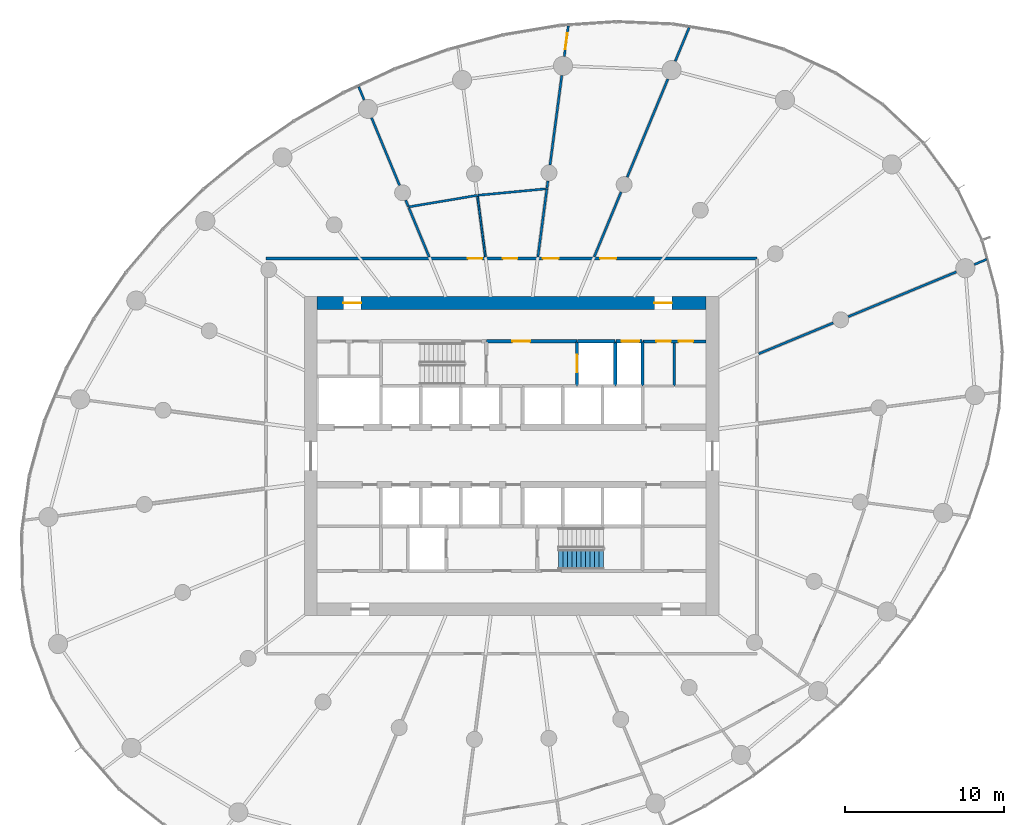
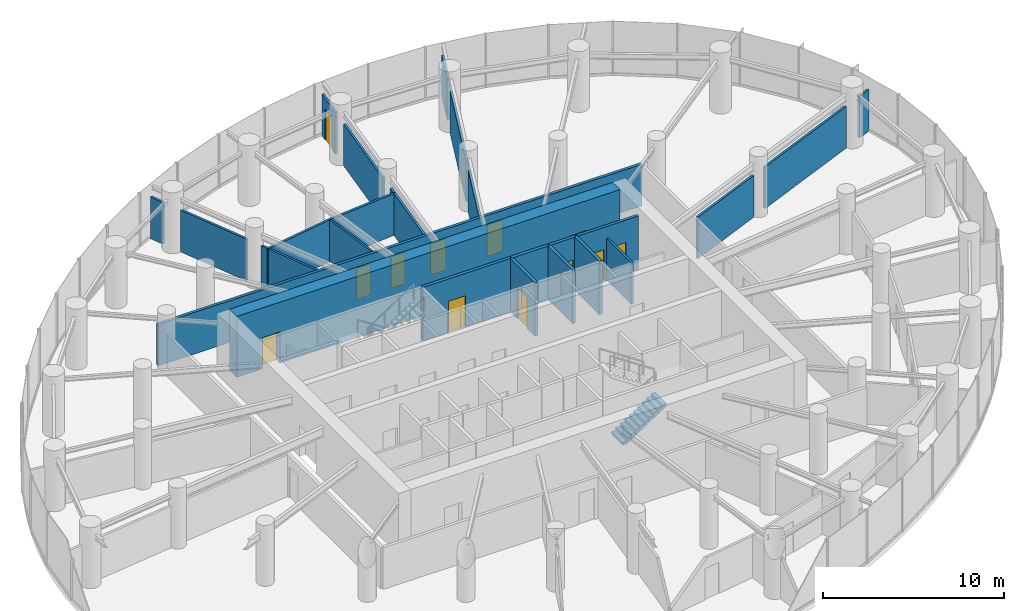
# One storey, part 13 of 17: 27 walls, 12 doors, 1 stair flight, 12 openings, 1 element without a shape of its own.
"""IFC4 building model written with IfcOpenShell, lengths in metres."""

from ifc_helpers import new_model, si_unit, direction, frame, frame_2d, origin, place, context, subcontext, project, spatial, line, indexed_curve, rectangle, outline, extrude, source, transform, mapped, material, layer, layer_set, type_object, element, fill, aggregate, save


model = new_model("IFC4")

# Units and contexts
model_context = context("Model", 3, precision=1e-05, world=origin(), true_north=direction((0.0, 1.0)))
body_context = subcontext(model_context, "Body", "Model", "MODEL_VIEW")
ifc_project = project(units=[si_unit("LENGTHUNIT", "METRE"), si_unit("AREAUNIT", "SQUARE_METRE"), si_unit("VOLUMEUNIT", "CUBIC_METRE"), si_unit("PLANEANGLEUNIT", "RADIAN"), si_unit("MASSUNIT", "GRAM", prefix="KILO")], contexts=[model_context])

# Site, building, storey
site_placement = place(None, origin())
site = spatial("IfcSite", under=ifc_project, at=site_placement, CompositionType="ELEMENT")
building_placement = place(site_placement, origin())
building = spatial("IfcBuilding", under=site, at=building_placement, Name="Spindrift Exchange Tower", CompositionType="ELEMENT")
storey_placement = place(building_placement, frame((0.0, 0.0, 124.89990234375)))
storey = spatial("IfcBuildingStorey", under=building, at=storey_placement, Name="L29", CompositionType="ELEMENT", Elevation=124.89990234375)

# Wall, openings, doors
ifc_material_1 = material(Name="Concrete 65 MPa", Category="concrete")
ifc_layer_1 = layer(ifc_material_1, 0.800048828125)
ifc_layer_set_1 = layer_set([ifc_layer_1], Name="RC Core Wall 800 Concrete 65 MPa")
wall_type_1 = type_object("IfcWallType", Name="RC Core Wall 800 Concrete 65 MPa", PredefinedType="SHEAR", material=ifc_layer_set_1)
wall_1_placement = place(storey_placement, frame((64.199951171875, 57.60009765625, 0.0), z_axis=(0.0, 0.0, 1.0), x_axis=(-1.0, 0.0, 0.0)))
wall_1 = element("IfcWall", 1, at=wall_1_placement, inside=storey, type_object=wall_type_1, Name="Core wall N L29", PredefinedType="SHEAR", context=body_context, shape_type="SweptSolid", body=[
    extrude(rectangle(XDim=24.39990234375, YDim=0.800048828125, at=frame_2d((12.199951171875, 0.0))), origin(), (0.0, 0.0, 1.0), 4.10009765625),
])
opening_1_placement = place(wall_1_placement, frame((21.64990234375, 0.0, 0.0)))
opening_1 = element("IfcOpeningElement", 2, at=opening_1_placement, cuts=wall_1, Name="Opening L29-D20", PredefinedType="OPENING", context=body_context, shape_type="SweptSolid", body=[
    extrude(rectangle(XDim=1.10009765625, YDim=2.10009765625, at=frame_2d((0.550048828125, 1.050048828125))), frame((0.0, 0.409912109375, 0.0), z_axis=(0.0, -1.0, 0.0), x_axis=(1.0, 0.0, 0.0)), (0.0, 0.0, 1.0), 0.820068359375),
])
opening_2_placement = place(wall_1_placement, frame((2.14990234375, 0.0, 0.0)))
opening_2 = element("IfcOpeningElement", 3, at=opening_2_placement, cuts=wall_1, Name="Opening L29-D21", PredefinedType="OPENING", context=body_context, shape_type="SweptSolid", body=[
    extrude(rectangle(XDim=1.10009765625, YDim=2.10009765625, at=frame_2d((0.550048828125, 1.050048828125))), frame((0.0, 0.409912109375, 0.0), z_axis=(0.0, -1.0, 0.0), x_axis=(1.0, 0.0, 0.0)), (0.0, 0.0, 1.0), 0.820068359375),
])
ifc_material_2 = material(Name="Steel fire door", Category="steel")
door_type_1 = type_object("IfcDoorType", Name="DR-STAIR-1100", OperationType="NOTDEFINED", PredefinedType="DOOR", material=ifc_material_2)
shared_shape_1 = source(origin(), body_context, "Body", "SweptSolid", [
    extrude(rectangle(XDim=1.10009765625, YDim=2.10009765625, at=frame_2d((0.550048828125, 1.050048828125))), frame((0.0, 0.02490234375, 0.0), z_axis=(0.0, -1.0, 0.0), x_axis=(1.0, 0.0, 0.0)), (0.0, 0.0, 1.0), 0.050048828125),
])
door_1_placement = place(opening_1_placement, origin())
door_1 = element("IfcDoor", 4, at=door_1_placement, inside=storey, type_object=door_type_1, Name="L29 Stair door 20", OperationType="SINGLE_SWING_LEFT", OverallHeight=2.10009765625, OverallWidth=1.10009765625, PredefinedType="DOOR", context=body_context, shape_type="MappedRepresentation", body=[
    mapped(shared_shape_1, transform((0.0, 0.0, 0.0), scale=1.0)),
])
fill(opening_1, door_1)
door_2_placement = place(opening_2_placement, origin())
door_2 = element("IfcDoor", 5, at=door_2_placement, inside=storey, type_object=door_type_1, Name="L29 Stair door 21", OperationType="SINGLE_SWING_RIGHT", OverallHeight=2.10009765625, OverallWidth=1.10009765625, PredefinedType="DOOR", context=body_context, shape_type="MappedRepresentation", body=[
    mapped(shared_shape_1, transform((0.0, 0.0, 0.0), scale=1.0)),
])
fill(opening_2, door_2)

ifc_material_3 = material(Name="Fire-rated plasterboard partition", Category="gypsum")
ifc_layer_2 = layer(ifc_material_3, 0.179931640625)
ifc_layer_set_2 = layer_set([ifc_layer_2], Name="W-CORR-180")
wall_type_2 = type_object("IfcWallType", Name="W-CORR-180", PredefinedType="PARTITIONING", material=ifc_layer_set_2)
wall_2_placement = place(storey_placement, frame((64.179931640625, 55.199951171875, 0.0), z_axis=(0.0, 0.0, 1.0), x_axis=(-1.0, 0.0, 0.0)))
wall_2 = element("IfcWall", 6, at=wall_2_placement, inside=storey, type_object=wall_type_2, Name="L29 Partition wall 62", PredefinedType="PARTITIONING", context=body_context, shape_type="SweptSolid", body=[
    extrude(rectangle(XDim=3.949951171875, YDim=0.179931640625, at=frame_2d((1.97509765625, 0.0))), origin(), (0.0, 0.0, 1.0), 3.60009765625),
])
opening_3_placement = place(wall_2_placement, frame((2.199951171875, 0.0, 0.0)))
opening_3 = element("IfcOpeningElement", 7, at=opening_3_placement, cuts=wall_2, Name="Opening L29-D49", PredefinedType="OPENING", context=body_context, shape_type="SweptSolid", body=[
    extrude(rectangle(XDim=0.89990234375, YDim=2.10009765625, at=frame_2d((0.449951171875, 1.050048828125))), frame((0.0, 0.099853515625, 0.0), z_axis=(0.0, -1.0, 0.0), x_axis=(1.0, 0.0, 0.0)), (0.0, 0.0, 1.0), 0.199951171875),
])
opening_4_placement = place(wall_2_placement, frame((0.800048828125, 0.0, 0.0)))
opening_4 = element("IfcOpeningElement", 8, at=opening_4_placement, cuts=wall_2, Name="Opening L29-D50", PredefinedType="OPENING", context=body_context, shape_type="SweptSolid", body=[
    extrude(rectangle(XDim=0.89990234375, YDim=2.10009765625, at=frame_2d((0.449951171875, 1.050048828125))), frame((0.0, 0.099853515625, 0.0), z_axis=(0.0, -1.0, 0.0), x_axis=(1.0, 0.0, 0.0)), (0.0, 0.0, 1.0), 0.199951171875),
])
ifc_material_4 = material(Name="Steel access door", Category="steel")
door_type_2 = type_object("IfcDoorType", Name="DR-RISER-900", OperationType="NOTDEFINED", PredefinedType="DOOR", material=ifc_material_4)
shared_shape_2 = source(origin(), body_context, "Body", "SweptSolid", [
    extrude(rectangle(XDim=0.89990234375, YDim=2.10009765625, at=frame_2d((0.449951171875, 1.050048828125))), frame((0.0, 0.02490234375, 0.0), z_axis=(0.0, -1.0, 0.0), x_axis=(1.0, 0.0, 0.0)), (0.0, 0.0, 1.0), 0.050048828125),
])
door_3_placement = place(opening_3_placement, origin())
door_3 = element("IfcDoor", 9, at=door_3_placement, inside=storey, type_object=door_type_2, Name="L29 Riser door 49", OperationType="SINGLE_SWING_RIGHT", OverallHeight=2.10009765625, OverallWidth=0.89990234375, PredefinedType="DOOR", context=body_context, shape_type="MappedRepresentation", body=[
    mapped(shared_shape_2, transform((0.0, 0.0, 0.0), scale=1.0)),
])
fill(opening_3, door_3)
door_4_placement = place(opening_4_placement, origin())
door_4 = element("IfcDoor", 10, at=door_4_placement, inside=storey, type_object=door_type_2, Name="L29 Riser door 50", OperationType="SINGLE_SWING_LEFT", OverallHeight=2.10009765625, OverallWidth=0.89990234375, PredefinedType="DOOR", context=body_context, shape_type="MappedRepresentation", body=[
    mapped(shared_shape_2, transform((0.0, 0.0, 0.0), scale=1.0)),
])
fill(opening_4, door_4)

# Walls
ifc_layer_3 = layer(ifc_material_3, 0.139892578125)
ifc_layer_set_3 = layer_set([ifc_layer_3], Name="W-PART-140")
wall_type_3 = type_object("IfcWallType", Name="W-PART-140", PredefinedType="PARTITIONING", material=ifc_layer_set_3)
wall_3_placement = place(storey_placement, frame((53.644287109375, 60.489990234375, 0.0), z_axis=(0.0, 0.0, 1.0), x_axis=(0.130508610072, 0.991447175949, 0.0)))
element("IfcWall", 11, at=wall_3_placement, inside=storey, type_object=wall_type_3, Name="L29 Partition wall 86", PredefinedType="PARTITIONING", context=body_context, shape_type="SweptSolid", body=[
    extrude(rectangle(XDim=4.3193359375, YDim=0.139892578125, at=frame_2d((2.15966796875, 0.0))), origin(), (0.0, 0.0, 1.0), 2.800048828125),
])
wall_4_placement = place(storey_placement, frame((62.199951171875, 52.39990234375, 0.0), z_axis=(0.0, 0.0, 1.0), x_axis=(0.0, 1.0, 0.0)))
element("IfcWall", 12, at=wall_4_placement, inside=storey, type_object=wall_type_3, Name="L29 Partition wall 98", PredefinedType="PARTITIONING", context=body_context, shape_type="SweptSolid", body=[
    extrude(rectangle(XDim=2.710205078125, YDim=0.139892578125, at=frame_2d((1.35498046875, 0.0))), origin(), (0.0, 0.0, 1.0), 2.800048828125),
])
ifc_layer_4 = layer(ifc_material_3, 0.139892578125)
ifc_layer_set_4 = layer_set([ifc_layer_4], Name="W-PLANT-140")
wall_type_4 = type_object("IfcWallType", Name="W-PLANT-140", PredefinedType="PARTITIONING", material=ifc_layer_set_4)
wall_5_placement = place(storey_placement, frame((73.10595703125, 56.7421875, 0.0), z_axis=(0.0, 0.0, 1.0), x_axis=(0.923867037115, 0.382713597528, 0.0)))
element("IfcWall", 13, at=wall_5_placement, inside=storey, type_object=wall_type_4, Name="L29 Partition wall 65", PredefinedType="PARTITIONING", context=body_context, shape_type="SweptSolid", body=[
    extrude(rectangle(XDim=7.35009765625, YDim=0.139892578125, at=frame_2d((3.675048828125, 0.0))), origin(), (0.0, 0.0, 1.0), 2.800048828125),
])
wall_6_placement = place(storey_placement, frame((59.247802734375, 65.497802734375, 0.0), z_axis=(0.0, 0.0, 1.0), x_axis=(0.382696989205, 0.923873916968, 0.0)))
element("IfcWall", 14, at=wall_6_placement, inside=storey, type_object=wall_type_4, Name="L29 Partition wall 69", PredefinedType="PARTITIONING", context=body_context, shape_type="SweptSolid", body=[
    extrude(rectangle(XDim=6.662841796875, YDim=0.139892578125, at=frame_2d((3.33154296875, 0.0))), origin(), (0.0, 0.0, 1.0), 2.800048828125),
])
wall_7_placement = place(storey_placement, frame((54.405029296875, 66.267333984375, 0.0), z_axis=(0.0, 0.0, 1.0), x_axis=(0.130510314557, 0.991446951578, 0.0)))
element("IfcWall", 15, at=wall_7_placement, inside=storey, type_object=wall_type_4, Name="L29 Partition wall 75", PredefinedType="PARTITIONING", context=body_context, shape_type="SweptSolid", body=[
    extrude(rectangle(XDim=5.65869140625, YDim=0.139892578125, at=frame_2d((2.829345703125, 0.0))), origin(), (0.0, 0.0, 1.0), 2.800048828125),
])
wall_8_placement = place(storey_placement, frame((67.489990234375, 54.416259765625, 0.0), z_axis=(0.0, 0.0, 1.0), x_axis=(0.923890025086, 0.382658100067, 0.0)))
element("IfcWall", 16, at=wall_8_placement, inside=storey, type_object=wall_type_4, Name="L29 Partition wall 79", PredefinedType="PARTITIONING", context=body_context, shape_type="SweptSolid", body=[
    extrude(rectangle(XDim=5.068359375, YDim=0.139892578125, at=frame_2d((2.5341796875, 0.0))), origin(), (0.0, 0.0, 1.0), 2.800048828125),
])
wall_9_placement = place(storey_placement, frame((44.965087890625, 64.984130859375, 0.0), z_axis=(0.0, 0.0, 1.0), x_axis=(-0.382705930348, 0.923870213221, 0.0)))
element("IfcWall", 17, at=wall_9_placement, inside=storey, type_object=wall_type_4, Name="L29 Partition wall 83", PredefinedType="PARTITIONING", context=body_context, shape_type="SweptSolid", body=[
    extrude(rectangle(XDim=4.586669921875, YDim=0.139892578125, at=frame_2d((2.29345703125, 0.0))), origin(), (0.0, 0.0, 1.0), 2.800048828125),
])
wall_10_placement = place(storey_placement, frame((57.173583984375, 60.489990234375, 0.0), z_axis=(0.0, 0.0, 1.0), x_axis=(0.382672831764, 0.923883923353, 0.0)))
element("IfcWall", 18, at=wall_10_placement, inside=storey, type_object=wall_type_4, Name="L29 Partition wall 85", PredefinedType="PARTITIONING", context=body_context, shape_type="SweptSolid", body=[
    extrude(rectangle(XDim=4.410400390625, YDim=0.139892578125, at=frame_2d((2.205078125, 0.0))), origin(), (0.0, 0.0, 1.0), 2.800048828125),
])
wall_11_placement = place(storey_placement, frame((49.846435546875, 64.357666015625, 0.0), z_axis=(0.0, 0.0, 1.0), x_axis=(-0.986107812708, -0.166106537248, 0.0)))
element("IfcWall", 19, at=wall_11_placement, inside=storey, type_object=wall_type_4, Name="L29 Partition wall 87", PredefinedType="PARTITIONING", context=body_context, shape_type="SweptSolid", body=[
    extrude(rectangle(XDim=4.38134765625, YDim=0.139892578125, at=frame_2d((2.190673828125, 0.0))), origin(), (0.0, 0.0, 1.0), 2.800048828125),
])
wall_12_placement = place(storey_placement, frame((54.13671875, 64.765625, 0.0), z_axis=(0.0, 0.0, 1.0), x_axis=(-0.995511610528, -0.094639491254, 0.0)))
element("IfcWall", 20, at=wall_12_placement, inside=storey, type_object=wall_type_4, Name="L29 Partition wall 88", PredefinedType="PARTITIONING", context=body_context, shape_type="SweptSolid", body=[
    extrude(rectangle(XDim=4.27978515625, YDim=0.139892578125, at=frame_2d((2.139892578125, 0.0))), origin(), (0.0, 0.0, 1.0), 2.800048828125),
])
wall_13_placement = place(storey_placement, frame((46.826416015625, 60.489990234375, 0.0), z_axis=(0.0, 0.0, 1.0), x_axis=(-0.382649947996, 0.92389340148, 0.0)))
element("IfcWall", 21, at=wall_13_placement, inside=storey, type_object=wall_type_4, Name="L29 Partition wall 95", PredefinedType="PARTITIONING", context=body_context, shape_type="SweptSolid", body=[
    extrude(rectangle(XDim=3.32666015625, YDim=0.139892578125, at=frame_2d((1.663330078125, 0.0))), origin(), (0.0, 0.0, 1.0), 2.800048828125),
])
wall_14_placement = place(storey_placement, frame((62.260498046875, 72.77099609375, 0.0), z_axis=(0.0, 0.0, 1.0), x_axis=(0.382697386614, 0.923873752348, 0.0)))
element("IfcWall", 22, at=wall_14_placement, inside=storey, type_object=wall_type_4, Name="L29 Partition wall 101", PredefinedType="PARTITIONING", context=body_context, shape_type="SweptSolid", body=[
    extrude(rectangle(XDim=2.28759765625, YDim=0.139892578125, at=frame_2d((1.143798828125, 0.0))), origin(), (0.0, 0.0, 1.0), 2.800048828125),
])

# Wall, opening, door
wall_15_placement = place(storey_placement, frame((55.30126953125, 73.075927734375, 0.0), z_axis=(0.0, 0.0, 1.0), x_axis=(0.130527053476, 0.991444747987, 0.0)))
wall_15 = element("IfcWall", 23, at=wall_15_placement, inside=storey, type_object=wall_type_4, Name="L29 Partition wall 105", PredefinedType="PARTITIONING", context=body_context, shape_type="SweptSolid", body=[
    extrude(rectangle(XDim=1.915283203125, YDim=0.139892578125, at=frame_2d((0.95751953125, 0.0))), origin(), (0.0, 0.0, 1.0), 2.800048828125),
])
opening_5_placement = place(wall_15_placement, frame((0.449951171875, 0.0, 0.0)))
opening_5 = element("IfcOpeningElement", 24, at=opening_5_placement, cuts=wall_15, Name="Opening L29-D27", PredefinedType="OPENING", context=body_context, shape_type="SweptSolid", body=[
    extrude(rectangle(XDim=1.0, YDim=2.10009765625, at=frame_2d((0.5, 1.050048828125))), frame((0.0, 0.079833984375, 0.0), z_axis=(0.0, -1.0, 0.0), x_axis=(1.0, 0.0, 0.0)), (0.0, 0.0, 1.0), 0.159912109375),
])
ifc_material_5 = material(Name="Timber-core fire door", Category="wood")
door_type_3 = type_object("IfcDoorType", Name="DR-ROOM-1000", OperationType="NOTDEFINED", PredefinedType="DOOR", material=ifc_material_5)
shared_shape_3 = source(origin(), body_context, "Body", "SweptSolid", [
    extrude(rectangle(XDim=1.0, YDim=2.10009765625, at=frame_2d((0.5, 1.050048828125))), frame((0.0, 0.02490234375, 0.0), z_axis=(0.0, -1.0, 0.0), x_axis=(1.0, 0.0, 0.0)), (0.0, 0.0, 1.0), 0.050048828125),
])
door_5_placement = place(opening_5_placement, origin())
door_5 = element("IfcDoor", 25, at=door_5_placement, inside=storey, type_object=door_type_3, Name="L29 Door 27", OperationType="SINGLE_SWING_RIGHT", OverallHeight=2.10009765625, OverallWidth=1.0, PredefinedType="DOOR", context=body_context, shape_type="MappedRepresentation", body=[
    mapped(shared_shape_3, transform((0.0, 0.0, 0.0), scale=1.0)),
])
fill(opening_5, door_5)

# Walls
wall_16_placement = place(storey_placement, frame((42.74658203125, 70.339599609375, 0.0), z_axis=(0.0, 0.0, 1.0), x_axis=(-0.382657128341, 0.923890427556, 0.0)))
element("IfcWall", 26, at=wall_16_placement, inside=storey, type_object=wall_type_4, Name="L29 Partition wall 117", PredefinedType="PARTITIONING", context=body_context, shape_type="SweptSolid", body=[
    extrude(rectangle(XDim=0.89453125, YDim=0.139892578125, at=frame_2d((0.447265625, 0.0))), origin(), (0.0, 0.0, 1.0), 2.800048828125),
])
wall_17_placement = place(storey_placement, frame((81.014404296875, 60.018310546875, 0.0), z_axis=(0.0, 0.0, 1.0), x_axis=(0.923907241147, 0.382616530949, 0.0)))
element("IfcWall", 27, at=wall_17_placement, inside=storey, type_object=wall_type_4, Name="L29 Partition wall 120", PredefinedType="PARTITIONING", context=body_context, shape_type="SweptSolid", body=[
    extrude(rectangle(XDim=0.841552734375, YDim=0.139892578125, at=frame_2d((0.4208984375, 0.0))), origin(), (0.0, 0.0, 1.0), 2.800048828125),
])
wall_18_placement = place(storey_placement, frame((54.2119140625, 64.80224609375, 0.0), z_axis=(0.0, 0.0, 1.0), x_axis=(0.13069696084, 0.991422364297, 0.0)))
element("IfcWall", 28, at=wall_18_placement, inside=storey, type_object=wall_type_4, Name="L29 Partition wall 124", PredefinedType="PARTITIONING", context=body_context, shape_type="SweptSolid", body=[
    extrude(rectangle(XDim=0.46875, YDim=0.139892578125, at=frame_2d((0.234375, 0.0))), origin(), (0.0, 0.0, 1.0), 2.800048828125),
])
wall_19_placement = place(storey_placement, frame((45.514404296875, 63.657470703125, 0.0), z_axis=(0.0, 0.0, 1.0), x_axis=(-0.382334916259, 0.924023815607, 0.0)))
element("IfcWall", 29, at=wall_19_placement, inside=storey, type_object=wall_type_4, Name="L29 Partition wall 125", PredefinedType="PARTITIONING", context=body_context, shape_type="SweptSolid", body=[
    extrude(rectangle(XDim=0.426025390625, YDim=0.139892578125, at=frame_2d((0.212890625, 0.0))), origin(), (0.0, 0.0, 1.0), 2.800048828125),
])

# Wall, openings, doors
ifc_layer_5 = layer(ifc_material_3, 0.179931640625)
ifc_layer_set_5 = layer_set([ifc_layer_5], Name="W-PLANT-180")
wall_type_5 = type_object("IfcWallType", Name="W-PLANT-180", PredefinedType="PARTITIONING", material=ifc_layer_set_5)
wall_20_placement = place(storey_placement, frame((36.60009765625, 60.39990234375, 0.0), z_axis=(0.0, 0.0, 1.0), x_axis=(1.0, 0.0, 0.0)))
wall_20 = element("IfcWall", 30, at=wall_20_placement, inside=storey, type_object=wall_type_5, Name="L29 Partition wall 58", PredefinedType="PARTITIONING", context=body_context, shape_type="SweptSolid", body=[
    extrude(rectangle(XDim=30.7998046875, YDim=0.179931640625, at=frame_2d((15.39990234375, 0.0))), origin(), (0.0, 0.0, 1.0), 2.800048828125),
])
opening_6_placement = place(wall_20_placement, frame((14.85009765625, 0.0, 0.0)))
opening_6 = element("IfcOpeningElement", 31, at=opening_6_placement, cuts=wall_20, Name="Opening L29-D24", PredefinedType="OPENING", context=body_context, shape_type="SweptSolid", body=[
    extrude(rectangle(XDim=0.89990234375, YDim=2.10009765625, at=frame_2d((0.449951171875, 1.050048828125))), frame((0.0, 0.099853515625, 0.0), z_axis=(0.0, -1.0, 0.0), x_axis=(1.0, 0.0, 0.0)), (0.0, 0.0, 1.0), 0.199951171875),
])
opening_7_placement = place(wall_20_placement, frame((12.64990234375, 0.0, 0.0)))
opening_7 = element("IfcOpeningElement", 32, at=opening_7_placement, cuts=wall_20, Name="Opening L29-D25", PredefinedType="OPENING", context=body_context, shape_type="SweptSolid", body=[
    extrude(rectangle(XDim=0.89990234375, YDim=2.10009765625, at=frame_2d((0.449951171875, 1.050048828125))), frame((0.0, 0.099853515625, 0.0), z_axis=(0.0, -1.0, 0.0), x_axis=(1.0, 0.0, 0.0)), (0.0, 0.0, 1.0), 0.199951171875),
])
opening_8_placement = place(wall_20_placement, frame((20.949951171875, 0.0, 0.0)))
opening_8 = element("IfcOpeningElement", 33, at=opening_8_placement, cuts=wall_20, Name="Opening L29-D42", PredefinedType="OPENING", context=body_context, shape_type="SweptSolid", body=[
    extrude(rectangle(XDim=1.0, YDim=2.10009765625, at=frame_2d((0.5, 1.050048828125))), frame((0.0, 0.099853515625, 0.0), z_axis=(0.0, -1.0, 0.0), x_axis=(1.0, 0.0, 0.0)), (0.0, 0.0, 1.0), 0.199951171875),
])
opening_9_placement = place(wall_20_placement, frame((17.35009765625, 0.0, 0.0)))
opening_9 = element("IfcOpeningElement", 34, at=opening_9_placement, cuts=wall_20, Name="Opening L29-D43", PredefinedType="OPENING", context=body_context, shape_type="SweptSolid", body=[
    extrude(rectangle(XDim=1.0, YDim=2.10009765625, at=frame_2d((0.5, 1.050048828125))), frame((0.0, 0.099853515625, 0.0), z_axis=(0.0, -1.0, 0.0), x_axis=(1.0, 0.0, 0.0)), (0.0, 0.0, 1.0), 0.199951171875),
])
door_6_placement = place(opening_8_placement, origin())
door_6 = element("IfcDoor", 35, at=door_6_placement, inside=storey, type_object=door_type_3, Name="L29 Door 42", OperationType="SINGLE_SWING_LEFT", OverallHeight=2.10009765625, OverallWidth=1.0, PredefinedType="DOOR", context=body_context, shape_type="MappedRepresentation", body=[
    mapped(shared_shape_3, transform((0.0, 0.0, 0.0), scale=1.0)),
])
fill(opening_8, door_6)
door_7_placement = place(opening_9_placement, origin())
door_7 = element("IfcDoor", 36, at=door_7_placement, inside=storey, type_object=door_type_3, Name="L29 Door 43", OperationType="SINGLE_SWING_RIGHT", OverallHeight=2.10009765625, OverallWidth=1.0, PredefinedType="DOOR", context=body_context, shape_type="MappedRepresentation", body=[
    mapped(shared_shape_3, transform((0.0, 0.0, 0.0), scale=1.0)),
])
fill(opening_9, door_7)
ifc_material_6 = material(Name="Laminate washroom door", Category="wood")
door_type_4 = type_object("IfcDoorType", Name="DR-WC-900", OperationType="NOTDEFINED", PredefinedType="DOOR", material=ifc_material_6)
shared_shape_4 = source(origin(), body_context, "Body", "SweptSolid", [
    extrude(rectangle(XDim=0.89990234375, YDim=2.10009765625, at=frame_2d((0.449951171875, 1.050048828125))), frame((0.0, 0.02490234375, 0.0), z_axis=(0.0, -1.0, 0.0), x_axis=(1.0, 0.0, 0.0)), (0.0, 0.0, 1.0), 0.050048828125),
])
door_8_placement = place(opening_6_placement, origin())
door_8 = element("IfcDoor", 37, at=door_8_placement, inside=storey, type_object=door_type_4, Name="L29 WC door 24", OperationType="SINGLE_SWING_LEFT", OverallHeight=2.10009765625, OverallWidth=0.89990234375, PredefinedType="DOOR", context=body_context, shape_type="MappedRepresentation", body=[
    mapped(shared_shape_4, transform((0.0, 0.0, 0.0), scale=1.0)),
])
fill(opening_6, door_8)
door_9_placement = place(opening_7_placement, origin())
door_9 = element("IfcDoor", 38, at=door_9_placement, inside=storey, type_object=door_type_4, Name="L29 WC door 25", OperationType="SINGLE_SWING_RIGHT", OverallHeight=2.10009765625, OverallWidth=0.89990234375, PredefinedType="DOOR", context=body_context, shape_type="MappedRepresentation", body=[
    mapped(shared_shape_4, transform((0.0, 0.0, 0.0), scale=1.0)),
])
fill(opening_7, door_9)

# Wall, opening, door
ifc_material_7 = material(Name="Concrete 40 MPa", Category="concrete")
ifc_layer_6 = layer(ifc_material_7, 0.199951171875)
ifc_layer_set_6 = layer_set([ifc_layer_6], Name="W-SHAFT-200")
wall_type_6 = type_object("IfcWallType", Name="W-SHAFT-200", PredefinedType="SOLIDWALL", material=ifc_layer_set_6)
wall_21_placement = place(storey_placement, frame((56.10009765625, 55.169921875, 0.0), z_axis=(0.0, 0.0, 1.0), x_axis=(0.0, -1.0, 0.0)))
wall_21 = element("IfcWall", 39, at=wall_21_placement, inside=storey, type_object=wall_type_6, Name="L29 Shaft wall 12", PredefinedType="SOLIDWALL", context=body_context, shape_type="SweptSolid", body=[
    extrude(rectangle(XDim=2.77001953125, YDim=0.199951171875, at=frame_2d((1.385009765625, 0.0))), origin(), (0.0, 0.0, 1.0), 3.60009765625),
])
opening_10_placement = place(wall_21_placement, frame((0.820068359375, 0.0, 0.0)))
opening_10 = element("IfcOpeningElement", 40, at=opening_10_placement, cuts=wall_21, Name="Opening L29-D9", PredefinedType="OPENING", context=body_context, shape_type="SweptSolid", body=[
    extrude(rectangle(XDim=1.10009765625, YDim=2.10009765625, at=frame_2d((0.550048828125, 1.050048828125))), frame((0.0, 0.10986328125, 0.0), z_axis=(0.0, -1.0, 0.0), x_axis=(1.0, 0.0, 0.0)), (0.0, 0.0, 1.0), 0.219970703125),
])
ifc_material_8 = material(Name="Stainless steel landing door", Category="steel")
door_type_5 = type_object("IfcDoorType", Name="DR-LANDING-1100-SL", OperationType="DOUBLE_DOOR_SLIDING", PredefinedType="USERDEFINED", material=ifc_material_8)
shared_shape_5 = source(origin(), body_context, "Body", "SweptSolid", [
    extrude(rectangle(XDim=1.10009765625, YDim=2.10009765625, at=frame_2d((0.550048828125, 1.050048828125))), frame((0.0, 0.02490234375, 0.0), z_axis=(0.0, -1.0, 0.0), x_axis=(1.0, 0.0, 0.0)), (0.0, 0.0, 1.0), 0.050048828125),
])
door_10_placement = place(opening_10_placement, origin())
door_10 = element("IfcDoor", 41, at=door_10_placement, inside=storey, type_object=door_type_5, Name="L29 Lift landing door 9", ObjectType="LANDING DOOR", OperationType="DOUBLE_DOOR_SLIDING", OverallHeight=2.10009765625, OverallWidth=1.10009765625, PredefinedType="USERDEFINED", context=body_context, shape_type="MappedRepresentation", body=[
    mapped(shared_shape_5, transform((0.0, 0.0, 0.0), scale=1.0)),
])
fill(opening_10, door_10)

# Walls
for number, where, z_axis, x_axis, name in (
    (42, (58.5, 52.39990234375, 0.0), (0.0, 0.0, 1.0), (0.0, 1.0, 0.0), "L29 Shaft wall 13"),
    (43, (60.199951171875, 52.39990234375, 0.0), (0.0, 0.0, 1.0), (0.0, 1.0, 0.0), "L29 Shaft wall 14"),
):
    element("IfcWall", number, at=place(storey_placement, frame(where, z_axis=z_axis, x_axis=x_axis)), inside=storey, type_object=wall_type_6, Name=name, PredefinedType="SOLIDWALL", context=body_context, shape_type="SweptSolid", body=[
        extrude(rectangle(XDim=2.800048828125, YDim=0.199951171875, at=frame_2d((1.39990234375, 0.0))), origin(), (0.0, 0.0, 1.0), 3.60009765625),
    ])
wall_22_placement = place(storey_placement, frame((58.469970703125, 55.199951171875, 0.0), z_axis=(0.0, 0.0, 1.0), x_axis=(-1.0, 0.0, 0.0)))
element("IfcWall", 44, at=wall_22_placement, inside=storey, type_object=wall_type_6, Name="L29 Shaft wall 22", PredefinedType="SOLIDWALL", context=body_context, shape_type="SweptSolid", body=[
    extrude(rectangle(XDim=2.340087890625, YDim=0.199951171875, at=frame_2d((1.169921875, 0.0))), origin(), (0.0, 0.0, 1.0), 3.60009765625),
])

# Wall, opening, door
wall_23_placement = place(storey_placement, frame((60.169921875, 55.199951171875, 0.0), z_axis=(0.0, 0.0, 1.0), x_axis=(-1.0, 0.0, 0.0)))
wall_23 = element("IfcWall", 45, at=wall_23_placement, inside=storey, type_object=wall_type_6, Name="L29 Shaft wall 43", PredefinedType="SOLIDWALL", context=body_context, shape_type="SweptSolid", body=[
    extrude(rectangle(XDim=1.639892578125, YDim=0.199951171875, at=frame_2d((0.81982421875, 0.0))), origin(), (0.0, 0.0, 1.0), 3.60009765625),
])
opening_11_placement = place(wall_23_placement, frame((0.169921875, 0.0, 0.0)))
opening_11 = element("IfcOpeningElement", 46, at=opening_11_placement, cuts=wall_23, Name="Opening L29-D11", PredefinedType="OPENING", context=body_context, shape_type="SweptSolid", body=[
    extrude(rectangle(XDim=1.10009765625, YDim=2.10009765625, at=frame_2d((0.550048828125, 1.050048828125))), frame((0.0, 0.10986328125, 0.0), z_axis=(0.0, -1.0, 0.0), x_axis=(1.0, 0.0, 0.0)), (0.0, 0.0, 1.0), 0.219970703125),
])
door_11_placement = place(opening_11_placement, origin())
door_11 = element("IfcDoor", 47, at=door_11_placement, inside=storey, type_object=door_type_5, Name="L29 Lift landing door 11", ObjectType="LANDING DOOR", OperationType="DOUBLE_DOOR_SLIDING", OverallHeight=2.10009765625, OverallWidth=1.10009765625, PredefinedType="USERDEFINED", context=body_context, shape_type="MappedRepresentation", body=[
    mapped(shared_shape_5, transform((0.0, 0.0, 0.0), scale=1.0)),
])
fill(opening_11, door_11)

ifc_layer_7 = layer(ifc_material_7, 0.199951171875)
ifc_layer_set_7 = layer_set([ifc_layer_7], Name="W-SHAFT-200-LB")
wall_type_7 = type_object("IfcWallType", Name="W-SHAFT-200-LB", PredefinedType="SOLIDWALL", material=ifc_layer_set_7)
wall_24_placement = place(storey_placement, frame((56.10009765625, 55.199951171875, 0.0), z_axis=(0.0, 0.0, 1.0), x_axis=(-1.0, 0.0, 0.0)))
wall_24 = element("IfcWall", 48, at=wall_24_placement, inside=storey, type_object=wall_type_7, Name="L29 Shaft wall 4", PredefinedType="SOLIDWALL", context=body_context, shape_type="SweptSolid", body=[
    extrude(rectangle(XDim=5.670166015625, YDim=0.199951171875, at=frame_2d((2.8349609375, 0.0))), origin(), (0.0, 0.0, 1.0), 3.60009765625),
])
opening_12_placement = place(wall_24_placement, frame((2.949951171875, 0.0, 0.0)))
opening_12 = element("IfcOpeningElement", 49, at=opening_12_placement, cuts=wall_24, Name="Opening L29-D15", PredefinedType="OPENING", context=body_context, shape_type="SweptSolid", body=[
    extrude(rectangle(XDim=1.10009765625, YDim=2.10009765625, at=frame_2d((0.550048828125, 1.050048828125))), frame((0.0, 0.10986328125, 0.0), z_axis=(0.0, -1.0, 0.0), x_axis=(1.0, 0.0, 0.0)), (0.0, 0.0, 1.0), 0.219970703125),
])
door_type_6 = type_object("IfcDoorType", Name="DR-LOBBY-1100", OperationType="NOTDEFINED", PredefinedType="DOOR", material=ifc_material_5)
shared_shape_6 = source(origin(), body_context, "Body", "SweptSolid", [
    extrude(rectangle(XDim=1.10009765625, YDim=2.10009765625, at=frame_2d((0.550048828125, 1.050048828125))), frame((0.0, 0.02490234375, 0.0), z_axis=(0.0, -1.0, 0.0), x_axis=(1.0, 0.0, 0.0)), (0.0, 0.0, 1.0), 0.050048828125),
])
door_12_placement = place(opening_12_placement, origin())
door_12 = element("IfcDoor", 50, at=door_12_placement, inside=storey, type_object=door_type_6, Name="L29 Lobby door 15", OperationType="SINGLE_SWING_RIGHT", OverallHeight=2.10009765625, OverallWidth=1.10009765625, PredefinedType="DOOR", context=body_context, shape_type="MappedRepresentation", body=[
    mapped(shared_shape_6, transform((0.0, 0.0, 0.0), scale=1.0)),
])
fill(opening_12, door_12)

# Wall
ifc_layer_8 = layer(ifc_material_3, 0.1201171875)
ifc_layer_set_8 = layer_set([ifc_layer_8], Name="W-WET-120")
wall_type_8 = type_object("IfcWallType", Name="W-WET-120", PredefinedType="PARTITIONING", material=ifc_layer_set_8)
wall_25_placement = place(storey_placement, frame((50.355712890625, 60.489990234375, 0.0), z_axis=(0.0, 0.0, 1.0), x_axis=(-0.130518806164, 0.991445833739, 0.0)))
element("IfcWall", 51, at=wall_25_placement, inside=storey, type_object=wall_type_8, Name="L29 Partition wall 126", PredefinedType="PARTITIONING", context=body_context, shape_type="SweptSolid", body=[
    extrude(rectangle(XDim=3.830810546875, YDim=0.1201171875, at=frame_2d((1.91552734375, 0.0))), origin(), (0.0, 0.0, 1.0), 2.800048828125),
])

# Stair, stair flight
ifc_material_9 = material(Name="Concrete 50 MPa", Category="concrete")
stair_type = type_object("IfcStairType", Name="ST-1250-R186", PredefinedType="HALF_TURN_STAIR", material=ifc_material_9)
stair_placement = place(storey_placement, origin())
stair = element("IfcStair", 52, at=stair_placement, inside=storey, type_object=stair_type, Name="L29 Exit stair ST2", PredefinedType="HALF_TURN_STAIR")
stair_flight_type = type_object("IfcStairFlightType", Name="STF-1250-R186", PredefinedType="STRAIGHT", material=ifc_material_9)
stair_flight_placement = place(storey_placement, frame((54.949951171875, 41.52490234375, 0.0), z_axis=(0.0, 0.0, 1.0), x_axis=(1.0, 0.0, 0.0)))
stair_flight = element("IfcStairFlight", 53, at=stair_flight_placement, type_object=stair_flight_type, Name="ST2 flight 1", NumberOfRisers=11, NumberOfTreads=10, PredefinedType="STRAIGHT", RiserHeight=0.186363636, TreadLength=0.28, context=body_context, shape_type="SweptSolid", body=[
    extrude(outline(indexed_curve([(0.0, 0.0), (0.0, 0.1865234375), (0.2802734375, 0.1865234375), (0.2802734375, 0.373046875), (0.5595703125, 0.373046875), (0.5595703125, 0.5595703125), (0.83984375, 0.5595703125), (0.83984375, 0.7451171875), (1.1201171875, 0.7451171875), (1.1201171875, 0.931640625), (1.400390625, 0.931640625), (1.400390625, 1.1181640625), (1.6796875, 1.1181640625), (1.6796875, 1.3046875), (1.9599609375, 1.3046875), (1.9599609375, 1.4912109375), (2.240234375, 1.4912109375), (2.240234375, 1.677734375), (2.51953125, 1.677734375), (2.51953125, 1.86328125), (2.7998046875, 1.86328125), (2.7998046875, 2.0498046875), (2.7998046875, 1.68359375), (0.2705078125, 0.0)], segments=[line(1, 2, 3, 4, 5, 6, 7, 8, 9, 10, 11, 12, 13, 14, 15, 16, 17, 18, 19, 20, 21, 22, 23, 24, 1)], self_intersect=False)), frame((0.0, 0.625, 0.0), z_axis=(0.0, -1.0, 0.0), x_axis=(1.0, 0.0, 0.0)), (0.0, 0.0, 1.0), 1.25),
])
aggregate(stair, [stair_flight])

save(model, "model.ifc")
